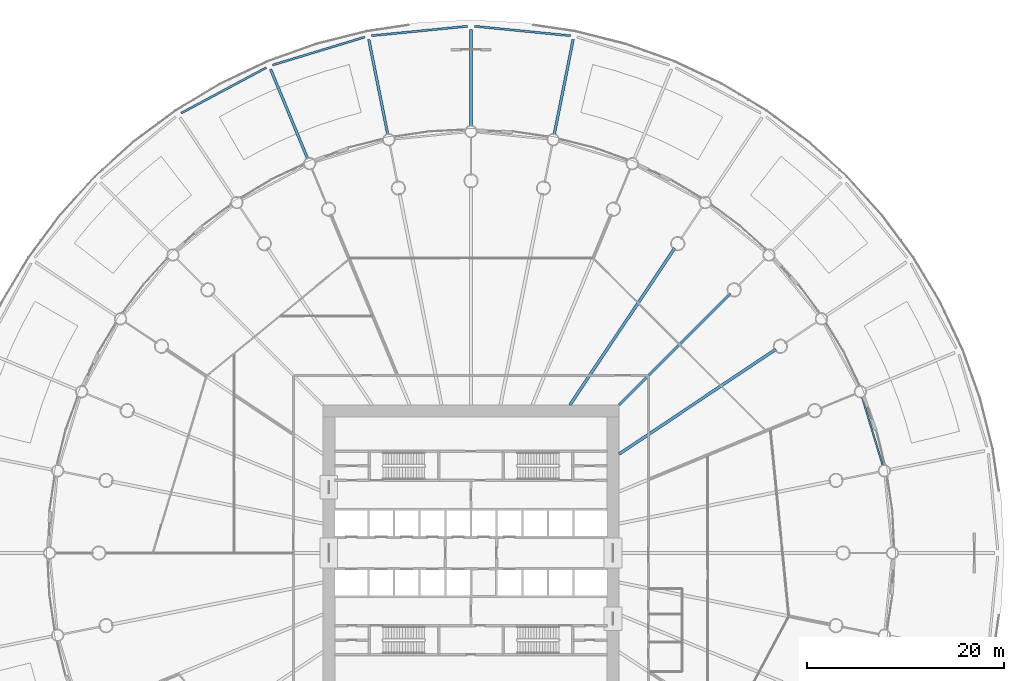
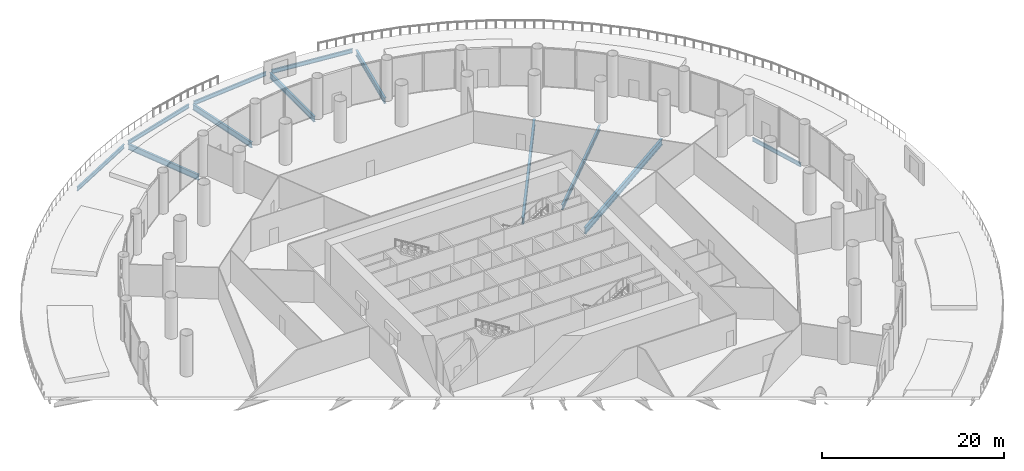
# One storey, part 22 of 36: 12 beams.
"""IFC4 building model written with IfcOpenShell, lengths in metres."""

from ifc_helpers import new_model, si_unit, direction, frame, origin, origin_2d, place, context, subcontext, project, spatial, i_section, extrude, material, material_profile, profile_set, type_object, element, save


model = new_model("IFC4")

# Units and contexts
model_context = context("Model", 3, precision=1e-05, world=origin(), true_north=direction((0.0, 1.0)))
body_context = subcontext(model_context, "Body", "Model", "MODEL_VIEW")
ifc_project = project(units=[si_unit("LENGTHUNIT", "METRE"), si_unit("AREAUNIT", "SQUARE_METRE"), si_unit("VOLUMEUNIT", "CUBIC_METRE"), si_unit("PLANEANGLEUNIT", "RADIAN"), si_unit("MASSUNIT", "GRAM", prefix="KILO")], contexts=[model_context])

# Site, building, storey
site_placement = place(None, origin())
site = spatial("IfcSite", under=ifc_project, at=site_placement, CompositionType="ELEMENT")
building_placement = place(site_placement, origin())
building = spatial("IfcBuilding", under=site, at=building_placement, Name="Corvane Civic Tower", CompositionType="ELEMENT")
storey_placement = place(building_placement, frame((0.0, 0.0, 6.0)))
storey = spatial("IfcBuildingStorey", under=building, at=storey_placement, Name="L01", CompositionType="ELEMENT", Elevation=6.0)

# Beams
ifc_material_1 = material(Name="Steel ASTM A992 Gr 50", Category="steel")
ifc_material_profile_1 = material_profile(ifc_material_1, i_section(OverallWidth=0.2666015625, OverallDepth=0.7568359375, WebThickness=0.013916015625, FlangeThickness=0.019287109375, at=origin_2d()), Name="W30X108")
ifc_profile_set_1 = profile_set([ifc_material_profile_1], Name="Steel ASTM A992 Gr 50")
beam_type_1 = type_object("IfcBeamType", Name="DECK BEAM W30X108", PredefinedType="BEAM", material=ifc_profile_set_1)
for number, where, z_axis, x_axis, name in (
    (1, (0.0, 43.25, -0.678466796875), (0.0, 1.0, 0.0), (-1.0, 0.0, 0.0), "BM-L01-D01"),
    (2, (8.437744140625, 42.4189453125, -0.678466796875), (0.195086010826, 0.980786137942, 0.0), (-0.980786137942, 0.195086010826, 0.0), "BM-L01-D02"),
):
    element("IfcBeam", number, at=place(storey_placement, frame(where, z_axis=z_axis, x_axis=x_axis)), inside=storey, type_object=beam_type_1, Name=name, PredefinedType="BEAM", context=body_context, shape_type="SweptSolid", body=[
        extrude(i_section(OverallWidth=0.2666015625, OverallDepth=0.7568359375, WebThickness=0.013916015625, FlangeThickness=0.019287109375, at=origin_2d()), origin(), (0.0, 0.0, 1.0), 9.800048828125),
    ])
beam_1_placement = place(storey_placement, frame((-16.551025390625, 39.957763671875, -0.678466796875), z_axis=(-0.382681094144, 0.923880501031, 0.0), x_axis=(-0.923880501031, -0.382681094144, 0.0)))
element("IfcBeam", 3, at=beam_1_placement, inside=storey, type_object=beam_type_1, Name="BM-L01-D31", PredefinedType="BEAM", context=body_context, shape_type="SweptSolid", body=[
    extrude(i_section(OverallWidth=0.2666015625, OverallDepth=0.7568359375, WebThickness=0.013916015625, FlangeThickness=0.019287109375, at=origin_2d()), origin(), (0.0, 0.0, 1.0), 9.7998046875),
])
beam_2_placement = place(storey_placement, frame((-8.437744140625, 42.4189453125, -0.678466796875), z_axis=(-0.195086010826, 0.980786137942, 0.0), x_axis=(-0.980786137942, -0.195086010826, 0.0)))
element("IfcBeam", 4, at=beam_2_placement, inside=storey, type_object=beam_type_1, Name="BM-L01-D32", PredefinedType="BEAM", context=body_context, shape_type="SweptSolid", body=[
    extrude(i_section(OverallWidth=0.2666015625, OverallDepth=0.7568359375, WebThickness=0.013916015625, FlangeThickness=0.019287109375, at=origin_2d()), origin(), (0.0, 0.0, 1.0), 9.800048828125),
])
ifc_material_2 = material(Name="Steel ASTM A992 Gr 50", Category="steel")
ifc_material_profile_2 = material_profile(ifc_material_2, i_section(OverallWidth=0.165771484375, OverallDepth=0.5283203125, WebThickness=0.009765625, FlangeThickness=0.013671875, at=origin_2d()), Name="W21X50")
ifc_profile_set_2 = profile_set([ifc_material_profile_2], Name="Steel ASTM A992 Gr 50")
beam_type_2 = type_object("IfcBeamType", Name="EDGE BEAM W21X50", PredefinedType="BEAM", material=ifc_profile_set_2)
beam_3_placement = place(storey_placement, frame((39.609375, 15.814208984375, -0.564208984375), z_axis=(0.290291633127, -0.956938225664, 0.0), x_axis=(0.956938225664, 0.290291633127, 0.0)))
element("IfcBeam", 5, at=beam_3_placement, inside=storey, type_object=beam_type_2, Name="BM-L01-E07", PredefinedType="BEAM", context=body_context, shape_type="SweptSolid", body=[
    extrude(i_section(OverallWidth=0.165771484375, OverallDepth=0.5283203125, WebThickness=0.009765625, FlangeThickness=0.013671875, at=origin_2d()), origin(), (0.0, 0.0, 1.0), 7.2705078125),
])
ifc_material_3 = material(Name="Steel ASTM A992 Gr 50", Category="steel")
ifc_material_profile_3 = material_profile(ifc_material_3, i_section(OverallWidth=0.209228515625, OverallDepth=0.533447265625, WebThickness=0.01025390625, FlangeThickness=0.015625, at=origin_2d()), Name="W21X62")
ifc_profile_set_3 = profile_set([ifc_material_profile_3], Name="Steel ASTM A992 Gr 50")
beam_type_3 = type_object("IfcBeamType", Name="EDGE BEAM W21X62", PredefinedType="BEAM", material=ifc_profile_set_3)
beam_4_placement = place(storey_placement, frame((0.348388671875, 53.365478515625, -0.566650390625), z_axis=(0.995186267899, -0.098001490731, 0.0), x_axis=(0.098001490731, 0.995186267899, 0.0)))
element("IfcBeam", 6, at=beam_4_placement, inside=storey, type_object=beam_type_3, Name="BM-L01-H01", PredefinedType="BEAM", context=body_context, shape_type="SweptSolid", body=[
    extrude(i_section(OverallWidth=0.209228515625, OverallDepth=0.533447265625, WebThickness=0.01025390625, FlangeThickness=0.015625, at=origin_2d()), origin(), (0.0, 0.0, 1.0), 9.76806640625),
])
for number, where, z_axis, x_axis, name in (
    (7, (-29.35888671875, 44.5654296875, -0.566650390625), (0.881924323833, 0.471391012889, 0.0), (-0.471391012889, 0.881924323833, 0.0), "BM-L01-H30"),
    (8, (-20.100341796875, 49.436767578125, -0.566650390625), (0.956937126901, 0.290295255144, 0.0), (-0.290295255144, 0.956937126901, 0.0), "BM-L01-H31"),
):
    element("IfcBeam", number, at=place(storey_placement, frame(where, z_axis=z_axis, x_axis=x_axis)), inside=storey, type_object=beam_type_3, Name=name, PredefinedType="BEAM", context=body_context, shape_type="SweptSolid", body=[
        extrude(i_section(OverallWidth=0.209228515625, OverallDepth=0.533447265625, WebThickness=0.01025390625, FlangeThickness=0.015625, at=origin_2d()), origin(), (0.0, 0.0, 1.0), 9.768310546875),
    ])
beam_5_placement = place(storey_placement, frame((-10.0693359375, 52.408203125, -0.566650390625), z_axis=(0.995186267899, 0.098001490731, 0.0), x_axis=(-0.098001490731, 0.995186267899, 0.0)))
element("IfcBeam", 9, at=beam_5_placement, inside=storey, type_object=beam_type_3, Name="BM-L01-H32", PredefinedType="BEAM", context=body_context, shape_type="SweptSolid", body=[
    extrude(i_section(OverallWidth=0.209228515625, OverallDepth=0.533447265625, WebThickness=0.01025390625, FlangeThickness=0.015625, at=origin_2d()), origin(), (0.0, 0.0, 1.0), 9.76806640625),
])
ifc_material_4 = material(Name="Steel ASTM A992 Gr 50", Category="steel")
ifc_material_profile_4 = material_profile(ifc_material_4, i_section(OverallWidth=0.25390625, OverallDepth=0.67822265625, WebThickness=0.01171875, FlangeThickness=0.016357421875, at=origin_2d()), Name="W27X84")
ifc_profile_set_4 = profile_set([ifc_material_profile_4], Name="Steel ASTM A992 Gr 50")
beam_type_4 = type_object("IfcBeamType", Name="FLOOR GIRDER W27X84", PredefinedType="BEAM", material=ifc_profile_set_4)
beam_6_placement = place(storey_placement, frame((15.0, 15.0, -0.63916015625), z_axis=(0.707106781187, 0.707106781187, 0.0), x_axis=(-0.707106781187, 0.707106781187, 0.0)))
element("IfcBeam", 10, at=beam_6_placement, inside=storey, type_object=beam_type_4, Name="BM-L01-G05", PredefinedType="BEAM", context=body_context, shape_type="SweptSolid", body=[
    extrude(i_section(OverallWidth=0.25390625, OverallDepth=0.67822265625, WebThickness=0.01171875, FlangeThickness=0.016357421875, at=origin_2d()), origin(), (0.0, 0.0, 1.0), 15.936767578125),
])
ifc_material_5 = material(Name="Steel ASTM A992 Gr 50", Category="steel")
ifc_material_profile_5 = material_profile(ifc_material_5, i_section(OverallWidth=0.2919921875, OverallDepth=0.845703125, WebThickness=0.015380859375, FlangeThickness=0.0244140625, at=origin_2d()), Name="W33X141")
ifc_profile_set_5 = profile_set([ifc_material_profile_5], Name="Steel ASTM A992 Gr 50")
beam_type_5 = type_object("IfcBeamType", Name="FLOOR GIRDER W33X141", PredefinedType="BEAM", material=ifc_profile_set_5)
for number, where, z_axis, x_axis, name in (
    (11, (10.022705078125, 15.0, -0.722900390625), (0.555566681385, 0.831471985418, 0.0), (-0.831471985418, 0.555566681385, 0.0), "BM-L01-G04"),
    (12, (15.0, 10.022705078125, -0.722900390625), (0.831471985418, 0.555566681385, 0.0), (-0.555566681385, 0.831471985418, 0.0), "BM-L01-G06"),
):
    element("IfcBeam", number, at=place(storey_placement, frame(where, z_axis=z_axis, x_axis=x_axis)), inside=storey, type_object=beam_type_5, Name=name, PredefinedType="BEAM", context=body_context, shape_type="SweptSolid", body=[
        extrude(i_section(OverallWidth=0.2919921875, OverallDepth=0.845703125, WebThickness=0.015380859375, FlangeThickness=0.0244140625, at=origin_2d()), origin(), (0.0, 0.0, 1.0), 19.109619140625),
    ])

save(model, "model.ifc")
